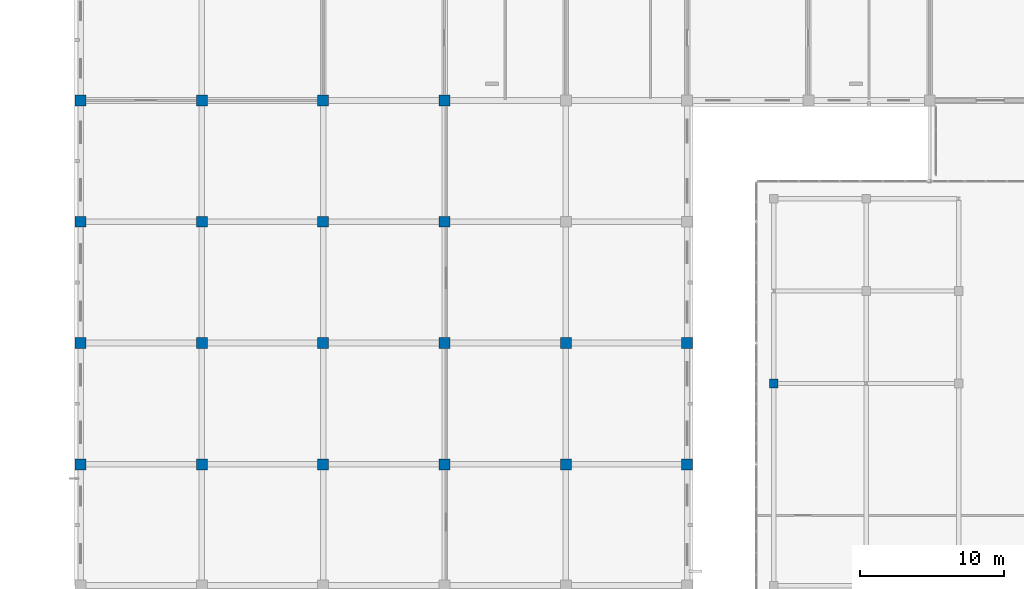
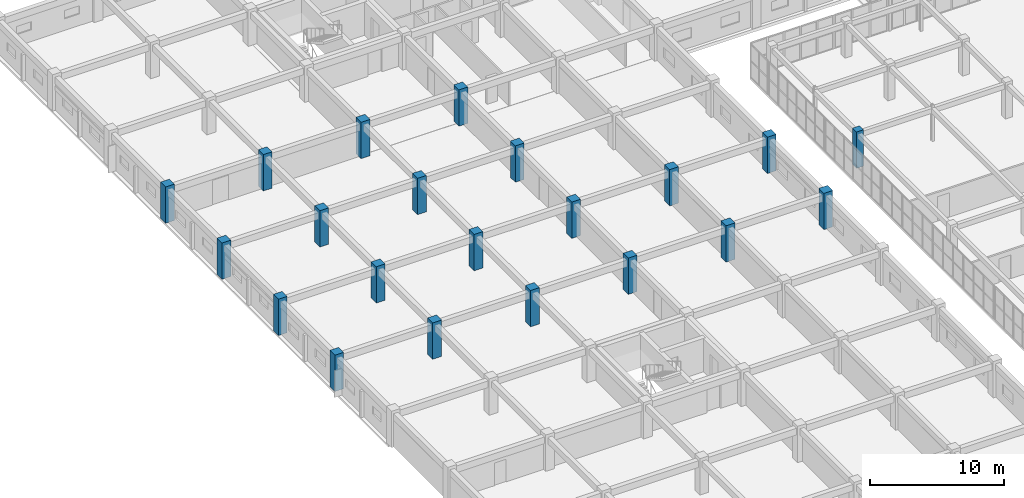
# One storey, part 15 of 200: 21 columns.
"""IFC4 building model written with IfcOpenShell, lengths in metres."""

from ifc_helpers import new_model, si_unit, direction, frame, origin, origin_2d, place, context, subcontext, project, spatial, rectangle, extrude, material, material_profile, profile_set, type_object, element, save


model = new_model("IFC4")

# Units and contexts
model_context = context("Model", 3, precision=1e-05, world=origin(), true_north=direction((0.0, 1.0)))
body_context = subcontext(model_context, "Body", "Model", "MODEL_VIEW")
ifc_project = project(units=[si_unit("LENGTHUNIT", "METRE"), si_unit("AREAUNIT", "SQUARE_METRE"), si_unit("VOLUMEUNIT", "CUBIC_METRE"), si_unit("PLANEANGLEUNIT", "RADIAN"), si_unit("MASSUNIT", "GRAM", prefix="KILO")], contexts=[model_context])

# Site, building, storey
site_placement = place(None, origin())
site = spatial("IfcSite", under=ifc_project, at=site_placement, CompositionType="ELEMENT")
building_placement = place(site_placement, origin())
building = spatial("IfcBuilding", under=site, at=building_placement, Name="Trelvath General Hospital", CompositionType="ELEMENT")
storey_placement = place(building_placement, frame((0.0, 0.0, 4.800048828125)))
storey = spatial("IfcBuildingStorey", under=building, at=storey_placement, Name="L01", CompositionType="ELEMENT", Elevation=4.800048828125)

# Columns
ifc_material_1 = material(Name="Concrete C40/50", Category="concrete")
ifc_material_profile_1 = material_profile(ifc_material_1, rectangle(XDim=0.60009765625, YDim=0.60009765625, at=origin_2d()), Name="RC600x600")
ifc_profile_set_1 = profile_set([ifc_material_profile_1], Name="Concrete C40/50")
column_type_1 = type_object("IfcColumnType", Name="Column RC600", PredefinedType="COLUMN", material=ifc_profile_set_1)
column_placement = place(storey_placement, frame((48.0, 72.800048828125, 0.0), z_axis=(0.0, 0.0, 1.0), x_axis=(1.0, 0.0, 0.0)))
element("IfcColumn", 1, at=column_placement, inside=storey, type_object=column_type_1, Name="Cube Interior Column CC-W26 L01", PredefinedType="COLUMN", context=body_context, shape_type="SweptSolid", body=[
    extrude(rectangle(XDim=0.60009765625, YDim=0.60009765625, at=origin_2d()), origin(), (0.0, 0.0, 1.0), 3.300048828125),
])
ifc_material_2 = material(Name="Concrete C40/50", Category="concrete")
ifc_material_profile_2 = material_profile(ifc_material_2, rectangle(XDim=0.75, YDim=0.75, at=origin_2d()), Name="RC750x750")
ifc_profile_set_2 = profile_set([ifc_material_profile_2], Name="Concrete C40/50")
column_type_2 = type_object("IfcColumnType", Name="Column RC750", PredefinedType="COLUMN", material=ifc_profile_set_2)
for number, where, z_axis, x_axis, name in (
    (2, (0.0, 67.199951171875, 0.0), (0.0, 0.0, 1.0), (1.0, 0.0, 0.0), "Column C-1I L01"),
    (3, (0.0, 75.60009765625, 0.0), (0.0, 0.0, 1.0), (1.0, 0.0, 0.0), "Column C-1J L01"),
    (4, (0.0, 84.0, 0.0), (0.0, 0.0, 1.0), (1.0, 0.0, 0.0), "Column C-1K L01"),
    (5, (0.0, 92.39990234375, 0.0), (0.0, 0.0, 1.0), (1.0, 0.0, 0.0), "Column C-1L L01"),
    (6, (42.0, 67.199951171875, 0.0), (0.0, 0.0, 1.0), (1.0, 0.0, 0.0), "Column C-6I L01"),
    (7, (42.0, 75.60009765625, 0.0), (0.0, 0.0, 1.0), (1.0, 0.0, 0.0), "Column C-6J L01"),
):
    element("IfcColumn", number, at=place(storey_placement, frame(where, z_axis=z_axis, x_axis=x_axis)), inside=storey, type_object=column_type_2, Name=name, PredefinedType="COLUMN", context=body_context, shape_type="SweptSolid", body=[
        extrude(rectangle(XDim=0.75, YDim=0.75, at=origin_2d()), origin(), (0.0, 0.0, 1.0), 3.300048828125),
    ])
ifc_material_3 = material(Name="Concrete C40/50", Category="concrete")
ifc_material_profile_3 = material_profile(ifc_material_3, rectangle(XDim=0.760009765625, YDim=0.760009765625, at=origin_2d()), Name="RC760x760")
ifc_profile_set_3 = profile_set([ifc_material_profile_3], Name="Concrete C40/50")
column_type_3 = type_object("IfcColumnType", Name="Column RC760", PredefinedType="COLUMN", material=ifc_profile_set_3)
for number, where, z_axis, x_axis, name in (
    (8, (8.39990234375, 67.199951171875, 0.0), (0.0, 0.0, 1.0), (1.0, 0.0, 0.0), "Column C-2I L01"),
    (9, (8.39990234375, 75.60009765625, 0.0), (0.0, 0.0, 1.0), (1.0, 0.0, 0.0), "Column C-2J L01"),
    (10, (8.39990234375, 84.0, 0.0), (0.0, 0.0, 1.0), (1.0, 0.0, 0.0), "Column C-2K L01"),
    (11, (8.39990234375, 92.39990234375, 0.0), (0.0, 0.0, 1.0), (1.0, 0.0, 0.0), "Column C-2L L01"),
    (12, (16.800048828125, 67.199951171875, 0.0), (0.0, 0.0, 1.0), (1.0, 0.0, 0.0), "Column C-3I L01"),
    (13, (16.800048828125, 75.60009765625, 0.0), (0.0, 0.0, 1.0), (1.0, 0.0, 0.0), "Column C-3J L01"),
    (14, (16.800048828125, 84.0, 0.0), (0.0, 0.0, 1.0), (1.0, 0.0, 0.0), "Column C-3K L01"),
    (15, (16.800048828125, 92.39990234375, 0.0), (0.0, 0.0, 1.0), (1.0, 0.0, 0.0), "Column C-3L L01"),
    (16, (25.199951171875, 67.199951171875, 0.0), (0.0, 0.0, 1.0), (1.0, 0.0, 0.0), "Column C-4I L01"),
    (17, (25.199951171875, 75.60009765625, 0.0), (0.0, 0.0, 1.0), (1.0, 0.0, 0.0), "Column C-4J L01"),
    (18, (25.199951171875, 84.0, 0.0), (0.0, 0.0, 1.0), (1.0, 0.0, 0.0), "Column C-4K L01"),
    (19, (25.199951171875, 92.39990234375, 0.0), (0.0, 0.0, 1.0), (1.0, 0.0, 0.0), "Column C-4L L01"),
    (20, (33.60009765625, 67.199951171875, 0.0), (0.0, 0.0, 1.0), (1.0, 0.0, 0.0), "Column C-5I L01"),
    (21, (33.60009765625, 75.60009765625, 0.0), (0.0, 0.0, 1.0), (1.0, 0.0, 0.0), "Column C-5J L01"),
):
    element("IfcColumn", number, at=place(storey_placement, frame(where, z_axis=z_axis, x_axis=x_axis)), inside=storey, type_object=column_type_3, Name=name, PredefinedType="COLUMN", context=body_context, shape_type="SweptSolid", body=[
        extrude(rectangle(XDim=0.760009765625, YDim=0.760009765625, at=origin_2d()), origin(), (0.0, 0.0, 1.0), 3.300048828125),
    ])

save(model, "model.ifc")
